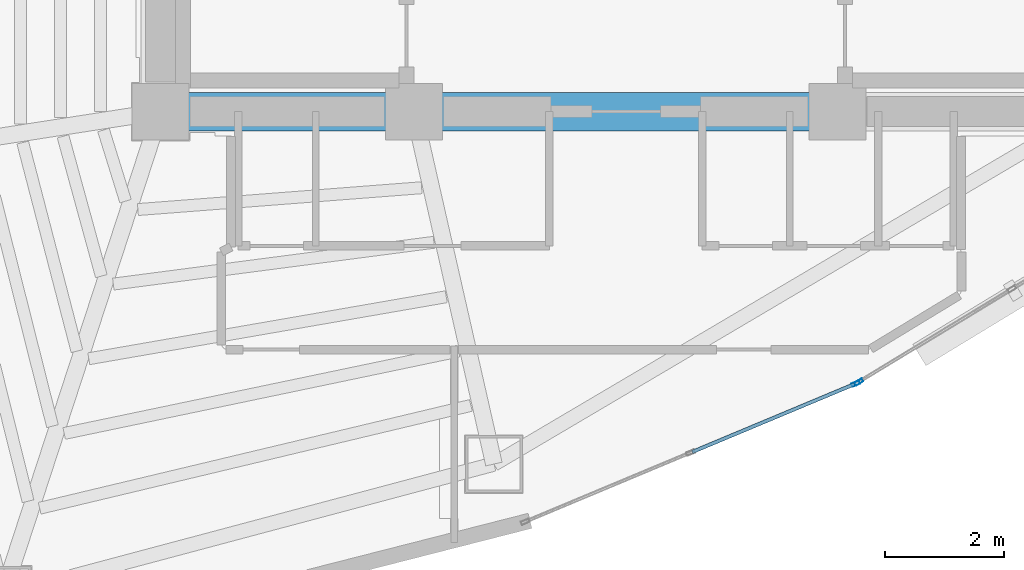
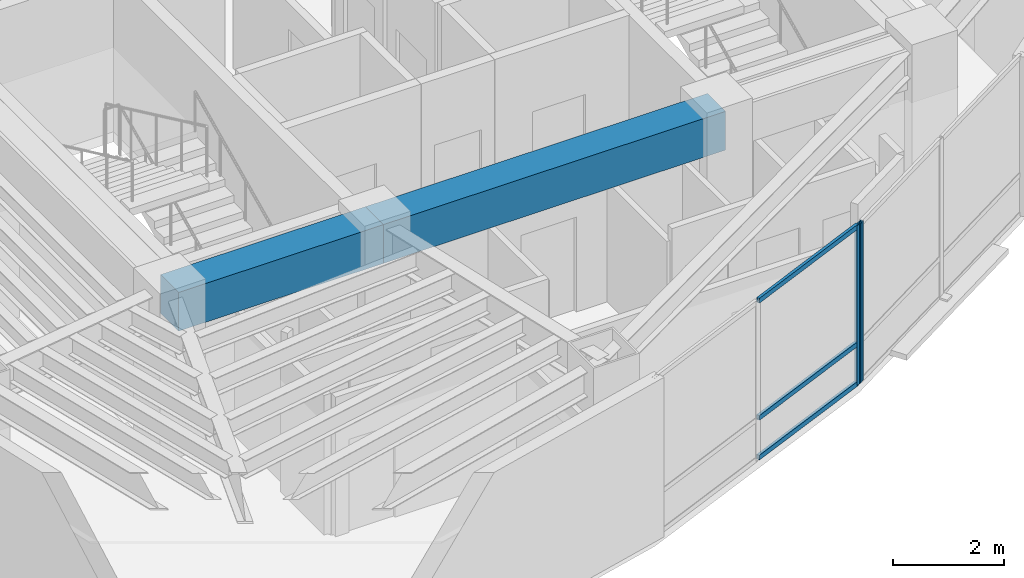
# One storey, part 4 of 15: 5 members, 2 beams, 2 elements without a shape of their own.
"""IFC4 building model written with IfcOpenShell, lengths in metres."""

from ifc_helpers import new_model, si_unit, direction, frame, origin, origin_2d, place, context, subcontext, project, spatial, rectangle, hollow_rectangle, extrude, material, layer, layer_set, material_profile, profile_set, type_object, element, aggregate, save


model = new_model("IFC4")

# Units and contexts
model_context = context("Model", 3, precision=1e-05, world=origin(), true_north=direction((0.0, 1.0)))
body_context = subcontext(model_context, "Body", "Model", "MODEL_VIEW")
ifc_project = project(units=[si_unit("LENGTHUNIT", "METRE"), si_unit("AREAUNIT", "SQUARE_METRE"), si_unit("VOLUMEUNIT", "CUBIC_METRE"), si_unit("PLANEANGLEUNIT", "RADIAN"), si_unit("MASSUNIT", "GRAM", prefix="KILO")], contexts=[model_context])

# Site, building, storey
site_placement = place(None, origin())
site = spatial("IfcSite", under=ifc_project, at=site_placement, CompositionType="ELEMENT")
building_placement = place(site_placement, origin())
building = spatial("IfcBuilding", under=site, at=building_placement, Name="Menara Vayukalpa", CompositionType="ELEMENT")
storey_placement = place(building_placement, frame((0.0, 0.0, 187.800048828125)))
storey = spatial("IfcBuildingStorey", under=building, at=storey_placement, Name="L47", CompositionType="ELEMENT", Elevation=187.800048828125)

# Beams
ifc_material_1 = material(Name="Concrete C60/75", Category="concrete")
ifc_material_profile_1 = material_profile(ifc_material_1, rectangle(XDim=0.64990234375, YDim=0.85009765625, at=origin_2d()), Name="RC 650x850")
ifc_profile_set_1 = profile_set([ifc_material_profile_1], Name="Concrete C60/75")
beam_type = type_object("IfcBeamType", Name="BM-CB1", PredefinedType="BEAM", material=ifc_profile_set_1)
beam_1_placement = place(storey_placement, frame((17.800048828125, 17.199951171875, 3.074951171875), z_axis=(1.0, 0.0, 0.0), x_axis=(0.0, 1.0, 0.0)))
element("IfcBeam", 1, at=beam_1_placement, inside=storey, type_object=beam_type, Name="L47 Core Tie Beam CBR1", PredefinedType="BEAM", context=body_context, shape_type="SweptSolid", body=[
    extrude(rectangle(XDim=0.64990234375, YDim=0.85009765625, at=origin_2d()), origin(), (0.0, 0.0, 1.0), 4.25),
])
beam_2_placement = place(storey_placement, frame((22.050048828125, 17.199951171875, 3.074951171875), z_axis=(1.0, 0.0, 0.0), x_axis=(0.0, 1.0, 0.0)))
element("IfcBeam", 2, at=beam_2_placement, inside=storey, type_object=beam_type, Name="L47 Core Tie Beam CBR2", PredefinedType="BEAM", context=body_context, shape_type="SweptSolid", body=[
    extrude(rectangle(XDim=0.64990234375, YDim=0.85009765625, at=origin_2d()), origin(), (0.0, 0.0, 1.0), 7.099853515625),
])

# Curtain wall, member
ifc_material_2 = material(Name="Anodised Terracotta Aluminium Alloy 6063-T6", Category="masonry")
ifc_layer = layer(ifc_material_2, 0.139892578125)
ifc_layer_set = layer_set([ifc_layer], Name="Anodised Terracotta Aluminium Alloy 6063-T6")
curtain_wall_type = type_object("IfcCurtainWallType", Name="CW-CW5", PredefinedType="USERDEFINED", material=ifc_layer_set)
curtain_wall_1_placement = place(storey_placement, origin())
curtain_wall_1 = element("IfcCurtainWall", 3, at=curtain_wall_1_placement, inside=storey, type_object=curtain_wall_type, Name="L47 High Rise Tapered Curtain Wall CW5 16", ObjectType="UNITISED", PredefinedType="USERDEFINED")
ifc_material_3 = material(Name="Anodised Terracotta Aluminium Alloy 6063-T6", Category="masonry")
ifc_material_profile_2 = material_profile(ifc_material_3, hollow_rectangle(XDim=0.06005859375, YDim=0.139892578125, WallThickness=0.00341796875, at=origin_2d()), Name="ALU 60x140x3.5")
ifc_profile_set_2 = profile_set([ifc_material_profile_2], Name="Anodised Terracotta Aluminium Alloy 6063-T6")
member_type_1 = type_object("IfcMemberType", Name="CWM-CW5", PredefinedType="MULLION", material=ifc_profile_set_2)
member_1_placement = place(storey_placement, frame((29.4560546875, 12.640380859375, 0.0), z_axis=(0.0, 0.0, 1.0), x_axis=(-0.385902834406, 0.922539431351, 0.0)))
member_1 = element("IfcMember", 4, at=member_1_placement, type_object=member_type_1, Name="CW5 mullion 3", PredefinedType="MULLION", context=body_context, shape_type="SweptSolid", body=[
    extrude(hollow_rectangle(XDim=0.06005859375, YDim=0.139892578125, WallThickness=0.00341796875, at=origin_2d()), origin(), (0.0, 0.0, 1.0), 3.5),
])

curtain_wall_2_placement = place(storey_placement, origin())
curtain_wall_2 = element("IfcCurtainWall", 5, at=curtain_wall_2_placement, inside=storey, type_object=curtain_wall_type, Name="L47 High Rise Tapered Curtain Wall CW5 17", ObjectType="UNITISED", PredefinedType="USERDEFINED")
member_2_placement = place(storey_placement, frame((29.509521484375, 12.66748046875, 0.0), z_axis=(0.0, 0.0, 1.0), x_axis=(-0.519179911779, 0.854664974832, 0.0)))
member_2 = element("IfcMember", 6, at=member_2_placement, type_object=member_type_1, Name="CW5 mullion 1", PredefinedType="MULLION", context=body_context, shape_type="SweptSolid", body=[
    extrude(hollow_rectangle(XDim=0.06005859375, YDim=0.139892578125, WallThickness=0.00341796875, at=origin_2d()), origin(), (0.0, 0.0, 1.0), 3.5),
])
aggregate(curtain_wall_2, [member_2])

# Member
ifc_material_4 = material(Name="Anodised Terracotta Aluminium Alloy 6063-T6", Category="masonry")
ifc_material_profile_3 = material_profile(ifc_material_4, hollow_rectangle(XDim=0.06005859375, YDim=0.10498046875, WallThickness=0.0029296875, at=origin_2d()), Name="ALU 60x105x3")
ifc_profile_set_3 = profile_set([ifc_material_profile_3], Name="Anodised Terracotta Aluminium Alloy 6063-T6")
member_type_2 = type_object("IfcMemberType", Name="CWT-CW5", PredefinedType="USERDEFINED", material=ifc_profile_set_3)
member_3_placement = place(storey_placement, frame((26.7138671875, 11.4931640625, 0.030029296875), z_axis=(0.922543360613, 0.385893440976, 0.0), x_axis=(-0.385893440976, 0.922543360613, 0.0)))
member_3 = element("IfcMember", 7, at=member_3_placement, type_object=member_type_2, Name="CW5 transom 2.1", ObjectType="TRANSOM", PredefinedType="USERDEFINED", context=body_context, shape_type="SweptSolid", body=[
    extrude(hollow_rectangle(XDim=0.06005859375, YDim=0.10498046875, WallThickness=0.0029296875, at=origin_2d()), origin(), (0.0, 0.0, 1.0), 2.942626953125),
])

member_4_placement = place(storey_placement, frame((26.7138671875, 11.4931640625, 0.89990234375), z_axis=(0.922543360613, 0.385893440976, 0.0), x_axis=(-0.385893440976, 0.922543360613, 0.0)))
member_4 = element("IfcMember", 8, at=member_4_placement, type_object=member_type_2, Name="CW5 transom 2.2", ObjectType="TRANSOM", PredefinedType="USERDEFINED", context=body_context, shape_type="SweptSolid", body=[
    extrude(hollow_rectangle(XDim=0.06005859375, YDim=0.10498046875, WallThickness=0.0029296875, at=origin_2d()), origin(), (0.0, 0.0, 1.0), 2.942626953125),
])

member_5_placement = place(storey_placement, frame((26.7138671875, 11.4931640625, 3.469970703125), z_axis=(0.922543360613, 0.385893440976, 0.0), x_axis=(-0.385893440976, 0.922543360613, 0.0)))
member_5 = element("IfcMember", 9, at=member_5_placement, type_object=member_type_2, Name="CW5 transom 2.3", ObjectType="TRANSOM", PredefinedType="USERDEFINED", context=body_context, shape_type="SweptSolid", body=[
    extrude(hollow_rectangle(XDim=0.06005859375, YDim=0.10498046875, WallThickness=0.0029296875, at=origin_2d()), origin(), (0.0, 0.0, 1.0), 2.942626953125),
])

aggregate(curtain_wall_1, [member_1, member_3, member_4, member_5])

save(model, "model.ifc")
